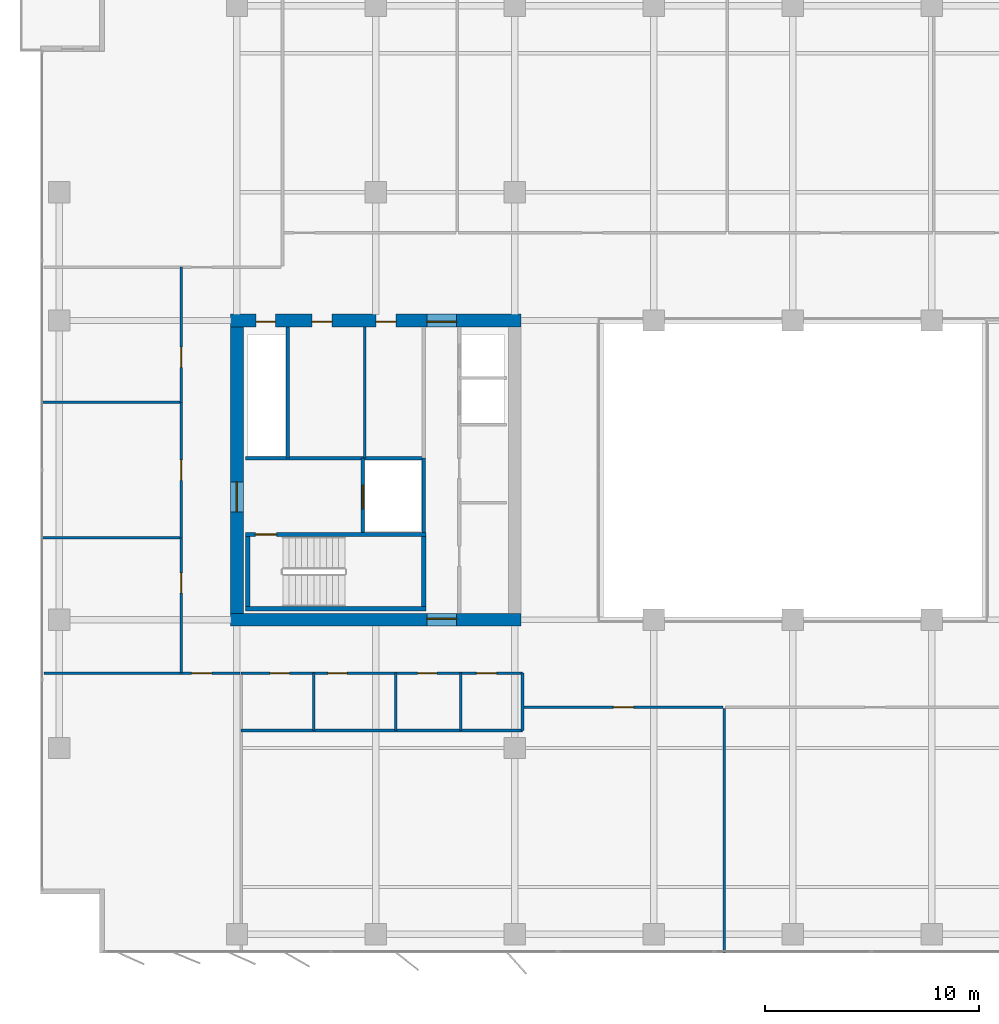
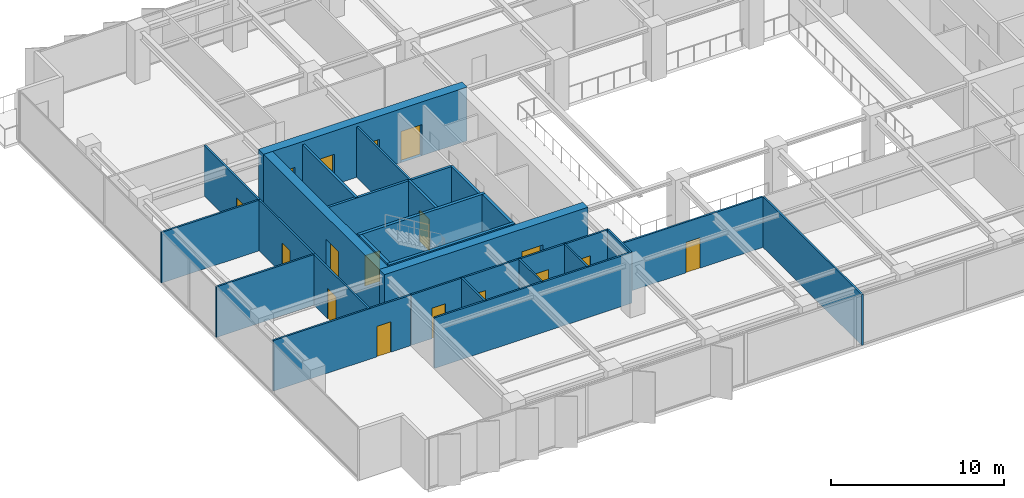
# One storey, part 15 of 22: 26 walls, 17 doors, 17 openings.
"""IFC4 building model written with IfcOpenShell, lengths in metres."""

from ifc_helpers import new_model, si_unit, direction, frame, frame_2d, origin, place, context, subcontext, project, spatial, rectangle, extrude, material, layer, layer_set, type_object, element, fill, save


model = new_model("IFC4")

# Units and contexts
model_context = context("Model", 3, precision=1e-05, world=origin(), true_north=direction((0.0, 1.0)))
body_context = subcontext(model_context, "Body", "Model", "MODEL_VIEW")
ifc_project = project(units=[si_unit("LENGTHUNIT", "METRE"), si_unit("AREAUNIT", "SQUARE_METRE"), si_unit("VOLUMEUNIT", "CUBIC_METRE"), si_unit("PLANEANGLEUNIT", "RADIAN"), si_unit("MASSUNIT", "GRAM", prefix="KILO")], contexts=[model_context])

# Site, building, storey
site_placement = place(None, origin())
site = spatial("IfcSite", under=ifc_project, at=site_placement, CompositionType="ELEMENT")
building_placement = place(site_placement, origin())
building = spatial("IfcBuilding", under=site, at=building_placement, Name="Putna Gate Headquarters", CompositionType="ELEMENT")
storey_placement = place(building_placement, frame((0.0, 0.0, 151.800048828125)))
storey = spatial("IfcBuildingStorey", under=building, at=storey_placement, Name="L37", CompositionType="ELEMENT", Elevation=151.800048828125)

# Wall, opening, door
ifc_material_1 = material(Name="Concrete C50/60", Category="concrete")
ifc_layer_1 = layer(ifc_material_1, 0.60009765625)
ifc_layer_set_1 = layer_set([ifc_layer_1], Name="Concrete C50/60")
wall_type_1 = type_object("IfcWallType", Name="WALL-CORE-600", PredefinedType="SHEAR", material=ifc_layer_set_1)
wall_1_placement = place(storey_placement, frame((12.699951171875, 19.0, 0.0), z_axis=(0.0, 0.0, 1.0), x_axis=(1.0, 0.0, 0.0)))
wall_1 = element("IfcWall", 1, at=wall_1_placement, inside=storey, type_object=wall_type_1, Name="L37 WC Split Core Shear Wall S", PredefinedType="SHEAR", context=body_context, shape_type="SweptSolid", body=[
    extrude(rectangle(XDim=13.60009765625, YDim=0.60009765625, at=frame_2d((6.800048828125, 0.0))), origin(), (0.0, 0.0, 1.0), 3.800048828125),
])
opening_1_placement = place(wall_1_placement, frame((9.179931640625, 0.0, 0.0)))
opening_1 = element("IfcOpeningElement", 2, at=opening_1_placement, cuts=wall_1, Name="Opening FDD-140", PredefinedType="OPENING", context=body_context, shape_type="SweptSolid", body=[
    extrude(rectangle(XDim=1.39990234375, YDim=2.199951171875, at=frame_2d((0.699951171875, 1.10009765625))), frame((0.0, 0.31005859375, 0.0), z_axis=(0.0, -1.0, 0.0), x_axis=(1.0, 0.0, 0.0)), (0.0, 0.0, 1.0), 0.6201171875),
])
ifc_material_2 = material(Name="Double steel fire door", Category="steel")
door_type_1 = type_object("IfcDoorType", Name="DOOR-FIRE-DBL-1400", OperationType="DOUBLE_DOOR_SINGLE_SWING", PredefinedType="DOOR", material=ifc_material_2)
door_1_placement = place(opening_1_placement, origin())
door_1 = element("IfcDoor", 3, at=door_1_placement, inside=storey, type_object=door_type_1, Name="L37 West Lift Lobby South Door", OperationType="DOUBLE_DOOR_SINGLE_SWING", OverallHeight=2.199951171875, OverallWidth=1.39990234375, PredefinedType="DOOR", context=body_context, shape_type="SweptSolid", body=[
    extrude(rectangle(XDim=1.39990234375, YDim=2.199951171875, at=frame_2d((0.699951171875, 1.10009765625))), frame((0.0, 0.0751953125, 0.0), z_axis=(0.0, -1.0, 0.0), x_axis=(1.0, 0.0, 0.0)), (0.0, 0.0, 1.0), 0.050048828125),
])
fill(opening_1, door_1)

# Wall, openings, doors
wall_2_placement = place(storey_placement, frame((12.699951171875, 33.0, 0.0), z_axis=(0.0, 0.0, 1.0), x_axis=(1.0, 0.0, 0.0)))
wall_2 = element("IfcWall", 4, at=wall_2_placement, inside=storey, type_object=wall_type_1, Name="L37 WC Split Core Shear Wall N", PredefinedType="SHEAR", context=body_context, shape_type="SweptSolid", body=[
    extrude(rectangle(XDim=13.60009765625, YDim=0.60009765625, at=frame_2d((6.800048828125, 0.0))), origin(), (0.0, 0.0, 1.0), 3.800048828125),
])
opening_2_placement = place(wall_2_placement, frame((1.199951171875, 0.0, 0.0)))
opening_2 = element("IfcOpeningElement", 5, at=opening_2_placement, cuts=wall_2, Name="Opening RD-90", PredefinedType="OPENING", context=body_context, shape_type="SweptSolid", body=[
    extrude(rectangle(XDim=0.89990234375, YDim=2.14990234375, at=frame_2d((0.449951171875, 1.074951171875))), frame((0.0, 0.31005859375, 0.0), z_axis=(0.0, -1.0, 0.0), x_axis=(1.0, 0.0, 0.0)), (0.0, 0.0, 1.0), 0.6201171875),
])
opening_3_placement = place(wall_2_placement, frame((3.800048828125, 0.0, 0.0)))
opening_3 = element("IfcOpeningElement", 6, at=opening_3_placement, cuts=wall_2, Name="Opening IDS-95", PredefinedType="OPENING", context=body_context, shape_type="SweptSolid", body=[
    extrude(rectangle(XDim=0.949951171875, YDim=2.14990234375, at=frame_2d((0.47509765625, 1.074951171875))), frame((0.0, 0.31005859375, 0.0), z_axis=(0.0, -1.0, 0.0), x_axis=(1.0, 0.0, 0.0)), (0.0, 0.0, 1.0), 0.6201171875),
])
opening_4_placement = place(wall_2_placement, frame((6.800048828125, 0.0, 0.0)))
opening_4 = element("IfcOpeningElement", 7, at=opening_4_placement, cuts=wall_2, Name="Opening IDS-95", PredefinedType="OPENING", context=body_context, shape_type="SweptSolid", body=[
    extrude(rectangle(XDim=0.949951171875, YDim=2.14990234375, at=frame_2d((0.47509765625, 1.074951171875))), frame((0.0, 0.31005859375, 0.0), z_axis=(0.0, -1.0, 0.0), x_axis=(1.0, 0.0, 0.0)), (0.0, 0.0, 1.0), 0.6201171875),
])
opening_5_placement = place(wall_2_placement, frame((9.179931640625, 0.0, 0.0)))
opening_5 = element("IfcOpeningElement", 8, at=opening_5_placement, cuts=wall_2, Name="Opening FDD-140", PredefinedType="OPENING", context=body_context, shape_type="SweptSolid", body=[
    extrude(rectangle(XDim=1.39990234375, YDim=2.199951171875, at=frame_2d((0.699951171875, 1.10009765625))), frame((0.0, 0.31005859375, 0.0), z_axis=(0.0, -1.0, 0.0), x_axis=(1.0, 0.0, 0.0)), (0.0, 0.0, 1.0), 0.6201171875),
])
door_2_placement = place(opening_5_placement, origin())
door_2 = element("IfcDoor", 9, at=door_2_placement, inside=storey, type_object=door_type_1, Name="L37 West Lift Lobby North Door", OperationType="DOUBLE_DOOR_SINGLE_SWING", OverallHeight=2.199951171875, OverallWidth=1.39990234375, PredefinedType="DOOR", context=body_context, shape_type="SweptSolid", body=[
    extrude(rectangle(XDim=1.39990234375, YDim=2.199951171875, at=frame_2d((0.699951171875, 1.10009765625))), frame((0.0, -0.02490234375, 0.0), z_axis=(0.0, -1.0, 0.0), x_axis=(1.0, 0.0, 0.0)), (0.0, 0.0, 1.0), 0.050048828125),
])
fill(opening_5, door_2)
ifc_material_3 = material(Name="Fire-rated service timber door", Category="wood")
door_type_2 = type_object("IfcDoorType", Name="DOOR-INT-950", OperationType="NOTDEFINED", PredefinedType="DOOR", material=ifc_material_3)
door_3_placement = place(opening_3_placement, origin())
door_3 = element("IfcDoor", 10, at=door_3_placement, inside=storey, type_object=door_type_2, Name="L37 Cleaner Store Door", OperationType="SINGLE_SWING_LEFT", OverallHeight=2.14990234375, OverallWidth=0.949951171875, PredefinedType="DOOR", context=body_context, shape_type="SweptSolid", body=[
    extrude(rectangle(XDim=0.949951171875, YDim=2.14990234375, at=frame_2d((0.47509765625, 1.074951171875))), frame((0.0, -0.02490234375, 0.0), z_axis=(0.0, -1.0, 0.0), x_axis=(1.0, 0.0, 0.0)), (0.0, 0.0, 1.0), 0.050048828125),
])
fill(opening_3, door_3)
door_4_placement = place(opening_4_placement, origin())
door_4 = element("IfcDoor", 11, at=door_4_placement, inside=storey, type_object=door_type_2, Name="L37 Comms Plant Door", OperationType="SINGLE_SWING_RIGHT", OverallHeight=2.14990234375, OverallWidth=0.949951171875, PredefinedType="DOOR", context=body_context, shape_type="SweptSolid", body=[
    extrude(rectangle(XDim=0.949951171875, YDim=2.14990234375, at=frame_2d((0.47509765625, 1.074951171875))), frame((0.0, -0.02490234375, 0.0), z_axis=(0.0, -1.0, 0.0), x_axis=(1.0, 0.0, 0.0)), (0.0, 0.0, 1.0), 0.050048828125),
])
fill(opening_4, door_4)
ifc_material_4 = material(Name="Steel riser access fire door", Category="steel")
door_type_3 = type_object("IfcDoorType", Name="DOOR-RISER-900", OperationType="NOTDEFINED", PredefinedType="DOOR", material=ifc_material_4)
door_5_placement = place(opening_2_placement, origin())
door_5 = element("IfcDoor", 12, at=door_5_placement, inside=storey, type_object=door_type_3, Name="L37 West Riser Access Door", OperationType="SINGLE_SWING_RIGHT", OverallHeight=2.14990234375, OverallWidth=0.89990234375, PredefinedType="DOOR", context=body_context, shape_type="SweptSolid", body=[
    extrude(rectangle(XDim=0.89990234375, YDim=2.14990234375, at=frame_2d((0.449951171875, 1.074951171875))), frame((0.0, -0.02490234375, 0.0), z_axis=(0.0, -1.0, 0.0), x_axis=(1.0, 0.0, 0.0)), (0.0, 0.0, 1.0), 0.050048828125),
])
fill(opening_2, door_5)

# Wall, opening, door
wall_3_placement = place(storey_placement, frame((13.0, 19.300048828125, 0.0), z_axis=(0.0, 0.0, 1.0), x_axis=(0.0, 1.0, 0.0)))
wall_3 = element("IfcWall", 13, at=wall_3_placement, inside=storey, type_object=wall_type_1, Name="L37 WC Split Core Shear Wall W", PredefinedType="SHEAR", context=body_context, shape_type="SweptSolid", body=[
    extrude(rectangle(XDim=13.39990234375, YDim=0.60009765625, at=frame_2d((6.699951171875, 0.0))), origin(), (0.0, 0.0, 1.0), 3.800048828125),
])
opening_6_placement = place(wall_3_placement, frame((4.75, 0.0, 0.0)))
opening_6 = element("IfcOpeningElement", 14, at=opening_6_placement, cuts=wall_3, Name="Opening FDD-140", PredefinedType="OPENING", context=body_context, shape_type="SweptSolid", body=[
    extrude(rectangle(XDim=1.39990234375, YDim=2.199951171875, at=frame_2d((0.699951171875, 1.10009765625))), frame((0.0, 0.31005859375, 0.0), z_axis=(0.0, -1.0, 0.0), x_axis=(1.0, 0.0, 0.0)), (0.0, 0.0, 1.0), 0.6201171875),
])
door_6_placement = place(opening_6_placement, origin())
door_6 = element("IfcDoor", 15, at=door_6_placement, inside=storey, type_object=door_type_1, Name="L37 West Firefighting Lobby Door", OperationType="DOUBLE_DOOR_SINGLE_SWING", OverallHeight=2.199951171875, OverallWidth=1.39990234375, PredefinedType="DOOR", context=body_context, shape_type="SweptSolid", body=[
    extrude(rectangle(XDim=1.39990234375, YDim=2.199951171875, at=frame_2d((0.699951171875, 1.10009765625))), frame((0.0, 0.02490234375, 0.0), z_axis=(0.0, -1.0, 0.0), x_axis=(1.0, 0.0, 0.0)), (0.0, 0.0, 1.0), 0.050048828125),
])
fill(opening_6, door_6)

# Walls
ifc_material_5 = material(Name="Acoustic gypsum board on metal stud")
ifc_layer_2 = layer(ifc_material_5, 0.1201171875)
ifc_layer_set_2 = layer_set([ifc_layer_2], Name="Acoustic gypsum board on metal stud")
wall_type_2 = type_object("IfcWallType", Name="WALL-PART-120", PredefinedType="PARTITIONING", material=ifc_layer_set_2)
wall_4_placement = place(storey_placement, frame((35.800048828125, 3.419921875, 0.0), z_axis=(0.0, 0.0, 1.0), x_axis=(0.0, 1.0, 0.0)))
element("IfcWall", 16, at=wall_4_placement, inside=storey, type_object=wall_type_2, Name="L37 Interior Wall PART-L37-SB-DIV-02", PredefinedType="PARTITIONING", context=body_context, shape_type="SweptSolid", body=[
    extrude(rectangle(XDim=11.420166015625, YDim=0.1201171875, at=frame_2d((5.7099609375, 0.0))), origin(), (0.0, 0.0, 1.0), 3.572021484375),
])
for number, where, z_axis, x_axis, name in (
    (17, (3.820068359375, 22.833251953125, 0.0), (0.0, 0.0, 1.0), (1.0, 0.0, 0.0), "L37 Interior Wall PART-L37-WW-DIV-1"),
    (18, (3.820068359375, 29.166748046875, 0.0), (0.0, 0.0, 1.0), (1.0, 0.0, 0.0), "L37 Interior Wall PART-L37-WW-DIV-2"),
):
    element("IfcWall", number, at=place(storey_placement, frame(where, z_axis=z_axis, x_axis=x_axis)), inside=storey, type_object=wall_type_2, Name=name, PredefinedType="PARTITIONING", context=body_context, shape_type="SweptSolid", body=[
        extrude(rectangle(XDim=6.579833984375, YDim=0.1201171875, at=frame_2d((3.2900390625, 0.0))), origin(), (0.0, 0.0, 1.0), 3.572021484375),
    ])
ifc_material_6 = material(Name="Fire-rated gypsum board on metal stud")
ifc_layer_3 = layer(ifc_material_6, 0.1201171875)
ifc_layer_set_3 = layer_set([ifc_layer_3], Name="Fire-rated gypsum board on metal stud")
wall_type_3 = type_object("IfcWallType", Name="WALL-PART-120-RATED", PredefinedType="PARTITIONING", material=ifc_layer_set_3)
wall_5_placement = place(storey_placement, frame((18.969970703125, 26.56005859375, 0.0), z_axis=(0.0, 0.0, 1.0), x_axis=(0.0, 1.0, 0.0)))
element("IfcWall", 19, at=wall_5_placement, inside=storey, type_object=wall_type_3, Name="L37 Interior Wall CWINT-L37-WC-K0-DIV", PredefinedType="PARTITIONING", context=body_context, shape_type="SweptSolid", body=[
    extrude(rectangle(XDim=6.139892578125, YDim=0.1201171875, at=frame_2d((3.06982421875, 0.0))), origin(), (0.0, 0.0, 1.0), 3.572021484375),
])

# Wall, openings, doors
wall_6_placement = place(storey_placement, frame((13.199951171875, 16.5, 0.0), z_axis=(0.0, 0.0, 1.0), x_axis=(1.0, 0.0, 0.0)))
wall_6 = element("IfcWall", 20, at=wall_6_placement, inside=storey, type_object=wall_type_3, Name="L37 Interior Wall PART-L37-SAN-CW", PredefinedType="PARTITIONING", context=body_context, shape_type="SweptSolid", body=[
    extrude(rectangle(XDim=13.16015625, YDim=0.1201171875, at=frame_2d((6.580078125, 0.0))), origin(), (0.0, 0.0, 1.0), 3.572021484375),
])
opening_7_placement = place(wall_6_placement, frame((1.35009765625, 0.0, 0.0)))
opening_7 = element("IfcOpeningElement", 21, at=opening_7_placement, cuts=wall_6, Name="Opening FD-90", PredefinedType="OPENING", context=body_context, shape_type="SweptSolid", body=[
    extrude(rectangle(XDim=0.89990234375, YDim=2.14990234375, at=frame_2d((0.449951171875, 1.074951171875))), frame((0.0, 0.070068359375, 0.0), z_axis=(0.0, -1.0, 0.0), x_axis=(1.0, 0.0, 0.0)), (0.0, 0.0, 1.0), 0.14013671875),
])
opening_8_placement = place(wall_6_placement, frame((4.050048828125, 0.0, 0.0)))
opening_8 = element("IfcOpeningElement", 22, at=opening_8_placement, cuts=wall_6, Name="Opening FD-90", PredefinedType="OPENING", context=body_context, shape_type="SweptSolid", body=[
    extrude(rectangle(XDim=0.89990234375, YDim=2.14990234375, at=frame_2d((0.449951171875, 1.074951171875))), frame((0.0, 0.070068359375, 0.0), z_axis=(0.0, -1.0, 0.0), x_axis=(1.0, 0.0, 0.0)), (0.0, 0.0, 1.0), 0.14013671875),
])
opening_9_placement = place(wall_6_placement, frame((8.25, 0.0, 0.0)))
opening_9 = element("IfcOpeningElement", 23, at=opening_9_placement, cuts=wall_6, Name="Opening FD-90", PredefinedType="OPENING", context=body_context, shape_type="SweptSolid", body=[
    extrude(rectangle(XDim=0.89990234375, YDim=2.14990234375, at=frame_2d((0.449951171875, 1.074951171875))), frame((0.0, 0.070068359375, 0.0), z_axis=(0.0, -1.0, 0.0), x_axis=(1.0, 0.0, 0.0)), (0.0, 0.0, 1.0), 0.14013671875),
])
opening_10_placement = place(wall_6_placement, frame((11.0, 0.0, 0.0)))
opening_10 = element("IfcOpeningElement", 24, at=opening_10_placement, cuts=wall_6, Name="Opening FD-95", PredefinedType="OPENING", context=body_context, shape_type="SweptSolid", body=[
    extrude(rectangle(XDim=0.949951171875, YDim=2.14990234375, at=frame_2d((0.47509765625, 1.074951171875))), frame((0.0, 0.070068359375, 0.0), z_axis=(0.0, -1.0, 0.0), x_axis=(1.0, 0.0, 0.0)), (0.0, 0.0, 1.0), 0.14013671875),
])
ifc_material_7 = material(Name="Acoustic washroom fire door")
door_type_4 = type_object("IfcDoorType", Name="DOOR-FIRE-900", OperationType="NOTDEFINED", PredefinedType="DOOR", material=ifc_material_7)
door_7_placement = place(opening_7_placement, origin())
door_7 = element("IfcDoor", 25, at=door_7_placement, inside=storey, type_object=door_type_4, Name="L37 Washroom Male Door", OperationType="SINGLE_SWING_RIGHT", OverallHeight=2.14990234375, OverallWidth=0.89990234375, PredefinedType="DOOR", context=body_context, shape_type="SweptSolid", body=[
    extrude(rectangle(XDim=0.89990234375, YDim=2.14990234375, at=frame_2d((0.449951171875, 1.074951171875))), frame((0.0, 0.02490234375, 0.0), z_axis=(0.0, -1.0, 0.0), x_axis=(1.0, 0.0, 0.0)), (0.0, 0.0, 1.0), 0.050048828125),
])
fill(opening_7, door_7)
door_8_placement = place(opening_8_placement, origin())
door_8 = element("IfcDoor", 26, at=door_8_placement, inside=storey, type_object=door_type_4, Name="L37 Washroom Female Door", OperationType="SINGLE_SWING_LEFT", OverallHeight=2.14990234375, OverallWidth=0.89990234375, PredefinedType="DOOR", context=body_context, shape_type="SweptSolid", body=[
    extrude(rectangle(XDim=0.89990234375, YDim=2.14990234375, at=frame_2d((0.449951171875, 1.074951171875))), frame((0.0, 0.02490234375, 0.0), z_axis=(0.0, -1.0, 0.0), x_axis=(1.0, 0.0, 0.0)), (0.0, 0.0, 1.0), 0.050048828125),
])
fill(opening_8, door_8)
door_9_placement = place(opening_9_placement, origin())
door_9 = element("IfcDoor", 27, at=door_9_placement, inside=storey, type_object=door_type_4, Name="L37 Accessible WC Door", OperationType="SINGLE_SWING_RIGHT", OverallHeight=2.14990234375, OverallWidth=0.89990234375, PredefinedType="DOOR", context=body_context, shape_type="SweptSolid", body=[
    extrude(rectangle(XDim=0.89990234375, YDim=2.14990234375, at=frame_2d((0.449951171875, 1.074951171875))), frame((0.0, 0.02490234375, 0.0), z_axis=(0.0, -1.0, 0.0), x_axis=(1.0, 0.0, 0.0)), (0.0, 0.0, 1.0), 0.050048828125),
])
fill(opening_9, door_9)
ifc_material_8 = material(Name="Acoustic timber fire door", Category="wood")
door_type_5 = type_object("IfcDoorType", Name="DOOR-FIRE-950", OperationType="NOTDEFINED", PredefinedType="DOOR", material=ifc_material_8)
door_10_placement = place(opening_10_placement, origin())
door_10 = element("IfcDoor", 28, at=door_10_placement, inside=storey, type_object=door_type_5, Name="L37 Staff Pantry and Tea Point Door", OperationType="SINGLE_SWING_LEFT", OverallHeight=2.14990234375, OverallWidth=0.949951171875, PredefinedType="DOOR", context=body_context, shape_type="SweptSolid", body=[
    extrude(rectangle(XDim=0.949951171875, YDim=2.14990234375, at=frame_2d((0.47509765625, 1.074951171875))), frame((0.0, 0.02490234375, 0.0), z_axis=(0.0, -1.0, 0.0), x_axis=(1.0, 0.0, 0.0)), (0.0, 0.0, 1.0), 0.050048828125),
])
fill(opening_10, door_10)

# Walls
wall_7_placement = place(storey_placement, frame((13.199951171875, 13.820068359375, 0.0), z_axis=(0.0, 0.0, 1.0), x_axis=(1.0, 0.0, 0.0)))
element("IfcWall", 29, at=wall_7_placement, inside=storey, type_object=wall_type_3, Name="L37 Interior Wall PART-L37-SAN-BACK", PredefinedType="PARTITIONING", context=body_context, shape_type="SweptSolid", body=[
    extrude(rectangle(XDim=13.16015625, YDim=0.1201171875, at=frame_2d((6.580078125, 0.0))), origin(), (0.0, 0.0, 1.0), 3.572021484375),
])
for number, where, z_axis, x_axis, name in (
    (30, (16.60009765625, 13.820068359375, 0.0), (0.0, 0.0, 1.0), (0.0, 1.0, 0.0), "L37 Interior Wall PART-L37-SAN-DIV-1"),
    (31, (20.419921875, 13.820068359375, 0.0), (0.0, 0.0, 1.0), (0.0, 1.0, 0.0), "L37 Interior Wall PART-L37-SAN-DIV-2"),
    (32, (23.4599609375, 13.820068359375, 0.0), (0.0, 0.0, 1.0), (0.0, 1.0, 0.0), "L37 Interior Wall PART-L37-SAN-DIV-3"),
    (33, (26.360107421875, 13.820068359375, 0.0), (0.0, 0.0, 1.0), (0.0, 1.0, 0.0), "L37 Interior Wall PART-L37-SAN-DIV-4"),
):
    element("IfcWall", number, at=place(storey_placement, frame(where, z_axis=z_axis, x_axis=x_axis)), inside=storey, type_object=wall_type_3, Name=name, PredefinedType="PARTITIONING", context=body_context, shape_type="SweptSolid", body=[
        extrude(rectangle(XDim=2.679931640625, YDim=0.1201171875, at=frame_2d((1.33984375, 0.0))), origin(), (0.0, 0.0, 1.0), 3.572021484375),
    ])

# Wall, opening, door
wall_8_placement = place(storey_placement, frame((3.97998046875, 16.5, 0.0), z_axis=(0.0, 0.0, 1.0), x_axis=(1.0, 0.0, 0.0)))
wall_8 = element("IfcWall", 34, at=wall_8_placement, inside=storey, type_object=wall_type_3, Name="L37 Interior Wall PART-L37-SB-CW-01", PredefinedType="PARTITIONING", context=body_context, shape_type="SweptSolid", body=[
    extrude(rectangle(XDim=9.159912109375, YDim=0.1201171875, at=frame_2d((4.580078125, 0.0))), origin(), (0.0, 0.0, 1.0), 3.572021484375),
])
opening_11_placement = place(wall_8_placement, frame((6.89990234375, 0.0, 0.0)))
opening_11 = element("IfcOpeningElement", 35, at=opening_11_placement, cuts=wall_8, Name="Opening FD-95", PredefinedType="OPENING", context=body_context, shape_type="SweptSolid", body=[
    extrude(rectangle(XDim=0.949951171875, YDim=2.14990234375, at=frame_2d((0.47509765625, 1.074951171875))), frame((0.0, 0.070068359375, 0.0), z_axis=(0.0, -1.0, 0.0), x_axis=(1.0, 0.0, 0.0)), (0.0, 0.0, 1.0), 0.14013671875),
])
door_11_placement = place(opening_11_placement, origin())
door_11 = element("IfcDoor", 36, at=door_11_placement, inside=storey, type_object=door_type_5, Name="L37 Cellular Office 3 Door", OperationType="SINGLE_SWING_LEFT", OverallHeight=2.14990234375, OverallWidth=0.949951171875, PredefinedType="DOOR", context=body_context, shape_type="SweptSolid", body=[
    extrude(rectangle(XDim=0.949951171875, YDim=2.14990234375, at=frame_2d((0.47509765625, 1.074951171875))), frame((0.0, 0.02490234375, 0.0), z_axis=(0.0, -1.0, 0.0), x_axis=(1.0, 0.0, 0.0)), (0.0, 0.0, 1.0), 0.050048828125),
])
fill(opening_11, door_11)

wall_9_placement = place(storey_placement, frame((26.419921875, 14.89990234375, 0.0), z_axis=(0.0, 0.0, 1.0), x_axis=(1.0, 0.0, 0.0)))
wall_9 = element("IfcWall", 37, at=wall_9_placement, inside=storey, type_object=wall_type_3, Name="L37 Interior Wall PART-L37-SB-CW-02", PredefinedType="PARTITIONING", context=body_context, shape_type="SweptSolid", body=[
    extrude(rectangle(XDim=9.320068359375, YDim=0.1201171875, at=frame_2d((4.66015625, 0.0))), origin(), (0.0, 0.0, 1.0), 3.572021484375),
])
opening_12_placement = place(wall_9_placement, frame((4.18505859375, 0.0, 0.0)))
opening_12 = element("IfcOpeningElement", 38, at=opening_12_placement, cuts=wall_9, Name="Opening FD-95", PredefinedType="OPENING", context=body_context, shape_type="SweptSolid", body=[
    extrude(rectangle(XDim=0.949951171875, YDim=2.14990234375, at=frame_2d((0.47509765625, 1.074951171875))), frame((0.0, 0.070068359375, 0.0), z_axis=(0.0, -1.0, 0.0), x_axis=(1.0, 0.0, 0.0)), (0.0, 0.0, 1.0), 0.14013671875),
])
door_12_placement = place(opening_12_placement, origin())
door_12 = element("IfcDoor", 39, at=door_12_placement, inside=storey, type_object=door_type_5, Name="L37 Primary Open Office Workplace Door", OperationType="SINGLE_SWING_RIGHT", OverallHeight=2.14990234375, OverallWidth=0.949951171875, PredefinedType="DOOR", context=body_context, shape_type="SweptSolid", body=[
    extrude(rectangle(XDim=0.949951171875, YDim=2.14990234375, at=frame_2d((0.47509765625, 1.074951171875))), frame((0.0, 0.02490234375, 0.0), z_axis=(0.0, -1.0, 0.0), x_axis=(1.0, 0.0, 0.0)), (0.0, 0.0, 1.0), 0.050048828125),
])
fill(opening_12, door_12)

wall_10_placement = place(storey_placement, frame((10.39990234375, 16.5, 0.0), z_axis=(0.0, 0.0, 1.0), x_axis=(0.0, 1.0, 0.0)))
wall_10 = element("IfcWall", 40, at=wall_10_placement, inside=storey, type_object=wall_type_3, Name="L37 Interior Wall PART-L37-WW-CW-1", PredefinedType="PARTITIONING", context=body_context, shape_type="SweptSolid", body=[
    extrude(rectangle(XDim=6.333251953125, YDim=0.1201171875, at=frame_2d((3.16650390625, 0.0))), origin(), (0.0, 0.0, 1.0), 3.572021484375),
])
opening_13_placement = place(wall_10_placement, frame((3.74169921875, 0.0, 0.0)))
opening_13 = element("IfcOpeningElement", 41, at=opening_13_placement, cuts=wall_10, Name="Opening FD-95", PredefinedType="OPENING", context=body_context, shape_type="SweptSolid", body=[
    extrude(rectangle(XDim=0.949951171875, YDim=2.14990234375, at=frame_2d((0.47509765625, 1.074951171875))), frame((0.0, 0.070068359375, 0.0), z_axis=(0.0, -1.0, 0.0), x_axis=(1.0, 0.0, 0.0)), (0.0, 0.0, 1.0), 0.14013671875),
])
door_13_placement = place(opening_13_placement, origin())
door_13 = element("IfcDoor", 42, at=door_13_placement, inside=storey, type_object=door_type_5, Name="L37 West Executive Office 1 Door", OperationType="SINGLE_SWING_RIGHT", OverallHeight=2.14990234375, OverallWidth=0.949951171875, PredefinedType="DOOR", context=body_context, shape_type="SweptSolid", body=[
    extrude(rectangle(XDim=0.949951171875, YDim=2.14990234375, at=frame_2d((0.47509765625, 1.074951171875))), frame((0.0, 0.02490234375, 0.0), z_axis=(0.0, -1.0, 0.0), x_axis=(1.0, 0.0, 0.0)), (0.0, 0.0, 1.0), 0.050048828125),
])
fill(opening_13, door_13)

wall_11_placement = place(storey_placement, frame((10.39990234375, 22.833251953125, 0.0), z_axis=(0.0, 0.0, 1.0), x_axis=(0.0, 1.0, 0.0)))
wall_11 = element("IfcWall", 43, at=wall_11_placement, inside=storey, type_object=wall_type_3, Name="L37 Interior Wall PART-L37-WW-CW-2", PredefinedType="PARTITIONING", context=body_context, shape_type="SweptSolid", body=[
    extrude(rectangle(XDim=6.33349609375, YDim=0.1201171875, at=frame_2d((3.166748046875, 0.0))), origin(), (0.0, 0.0, 1.0), 3.572021484375),
])
opening_14_placement = place(wall_11_placement, frame((2.691650390625, 0.0, 0.0)))
opening_14 = element("IfcOpeningElement", 44, at=opening_14_placement, cuts=wall_11, Name="Opening FD-95", PredefinedType="OPENING", context=body_context, shape_type="SweptSolid", body=[
    extrude(rectangle(XDim=0.949951171875, YDim=2.14990234375, at=frame_2d((0.47509765625, 1.074951171875))), frame((0.0, 0.070068359375, 0.0), z_axis=(0.0, -1.0, 0.0), x_axis=(1.0, 0.0, 0.0)), (0.0, 0.0, 1.0), 0.14013671875),
])
door_14_placement = place(opening_14_placement, origin())
door_14 = element("IfcDoor", 45, at=door_14_placement, inside=storey, type_object=door_type_5, Name="L37 West Executive Office 2 Door", OperationType="SINGLE_SWING_LEFT", OverallHeight=2.14990234375, OverallWidth=0.949951171875, PredefinedType="DOOR", context=body_context, shape_type="SweptSolid", body=[
    extrude(rectangle(XDim=0.949951171875, YDim=2.14990234375, at=frame_2d((0.47509765625, 1.074951171875))), frame((0.0, 0.02490234375, 0.0), z_axis=(0.0, -1.0, 0.0), x_axis=(1.0, 0.0, 0.0)), (0.0, 0.0, 1.0), 0.050048828125),
])
fill(opening_14, door_14)

wall_12_placement = place(storey_placement, frame((10.39990234375, 29.166748046875, 0.0), z_axis=(0.0, 0.0, 1.0), x_axis=(0.0, 1.0, 0.0)))
wall_12 = element("IfcWall", 46, at=wall_12_placement, inside=storey, type_object=wall_type_3, Name="L37 Interior Wall PART-L37-WW-CW-3", PredefinedType="PARTITIONING", context=body_context, shape_type="SweptSolid", body=[
    extrude(rectangle(XDim=6.333251953125, YDim=0.1201171875, at=frame_2d((3.16650390625, 0.0))), origin(), (0.0, 0.0, 1.0), 3.572021484375),
])
opening_15_placement = place(wall_12_placement, frame((1.6416015625, 0.0, 0.0)))
opening_15 = element("IfcOpeningElement", 47, at=opening_15_placement, cuts=wall_12, Name="Opening FD-95", PredefinedType="OPENING", context=body_context, shape_type="SweptSolid", body=[
    extrude(rectangle(XDim=0.949951171875, YDim=2.14990234375, at=frame_2d((0.47509765625, 1.074951171875))), frame((0.0, 0.070068359375, 0.0), z_axis=(0.0, -1.0, 0.0), x_axis=(1.0, 0.0, 0.0)), (0.0, 0.0, 1.0), 0.14013671875),
])
door_15_placement = place(opening_15_placement, origin())
door_15 = element("IfcDoor", 48, at=door_15_placement, inside=storey, type_object=door_type_5, Name="L37 West Project Meeting Room 3 Door", OperationType="SINGLE_SWING_RIGHT", OverallHeight=2.14990234375, OverallWidth=0.949951171875, PredefinedType="DOOR", context=body_context, shape_type="SweptSolid", body=[
    extrude(rectangle(XDim=0.949951171875, YDim=2.14990234375, at=frame_2d((0.47509765625, 1.074951171875))), frame((0.0, 0.02490234375, 0.0), z_axis=(0.0, -1.0, 0.0), x_axis=(1.0, 0.0, 0.0)), (0.0, 0.0, 1.0), 0.050048828125),
])
fill(opening_15, door_15)

# Wall
ifc_material_9 = material(Name="Concrete C40/50", Category="concrete")
ifc_layer_4 = layer(ifc_material_9, 0.159912109375)
ifc_layer_set_4 = layer_set([ifc_layer_4], Name="Concrete C40/50")
wall_type_4 = type_object("IfcWallType", Name="WALL-SHAFT-160", PredefinedType="STANDARD", material=ifc_layer_set_4)
wall_13_placement = place(storey_placement, frame((21.739990234375, 23.090087890625, 0.0), z_axis=(0.0, 0.0, 1.0), x_axis=(0.0, 1.0, 0.0)))
element("IfcWall", 49, at=wall_13_placement, inside=storey, type_object=wall_type_4, Name="L37 Interior Wall CWINT-L37-WC-FFL-E", PredefinedType="STANDARD", context=body_context, shape_type="SweptSolid", body=[
    extrude(rectangle(XDim=3.469970703125, YDim=0.159912109375, at=frame_2d((1.73486328125, 0.0))), origin(), (0.0, 0.0, 1.0), 3.572021484375),
])

# Wall, opening, door
wall_14_placement = place(storey_placement, frame((18.8798828125, 23.090087890625, 0.0), z_axis=(0.0, 0.0, 1.0), x_axis=(0.0, 1.0, 0.0)))
wall_14 = element("IfcWall", 50, at=wall_14_placement, inside=storey, type_object=wall_type_4, Name="L37 Interior Wall CWINT-L37-WC-LF13-W", PredefinedType="STANDARD", context=body_context, shape_type="SweptSolid", body=[
    extrude(rectangle(XDim=3.469970703125, YDim=0.159912109375, at=frame_2d((1.73486328125, 0.0))), origin(), (0.0, 0.0, 1.0), 3.572021484375),
])
opening_16_placement = place(wall_14_placement, frame((1.10009765625, 0.0, 0.0)))
opening_16 = element("IfcOpeningElement", 51, at=opening_16_placement, cuts=wall_14, Name="Opening LD-1", PredefinedType="OPENING", context=body_context, shape_type="SweptSolid", body=[
    extrude(rectangle(XDim=1.10009765625, YDim=2.199951171875, at=frame_2d((0.550048828125, 1.10009765625))), frame((0.0, 0.08984375, 0.0), z_axis=(0.0, -1.0, 0.0), x_axis=(1.0, 0.0, 0.0)), (0.0, 0.0, 1.0), 0.179931640625),
])
ifc_material_10 = material(Name="Brushed bronze stainless lift landing door")
door_type_6 = type_object("IfcDoorType", Name="DOOR-LIFT-1100", OperationType="DOUBLE_DOOR_SLIDING", PredefinedType="DOOR", material=ifc_material_10)
door_16_placement = place(opening_16_placement, origin())
door_16 = element("IfcDoor", 52, at=door_16_placement, inside=storey, type_object=door_type_6, Name="L37 Lift Landing Door LD-13", OperationType="DOUBLE_DOOR_SLIDING", OverallHeight=2.199951171875, OverallWidth=1.10009765625, PredefinedType="DOOR", context=body_context, shape_type="SweptSolid", body=[
    extrude(rectangle(XDim=1.10009765625, YDim=2.199951171875, at=frame_2d((0.550048828125, 1.10009765625))), frame((0.0, 0.02490234375, 0.0), z_axis=(0.0, -1.0, 0.0), x_axis=(1.0, 0.0, 0.0)), (0.0, 0.0, 1.0), 0.050048828125),
])
fill(opening_16, door_16)

# Walls
wall_15_placement = place(storey_placement, frame((13.39990234375, 26.56005859375, 0.0), z_axis=(0.0, 0.0, 1.0), x_axis=(1.0, 0.0, 0.0)))
element("IfcWall", 53, at=wall_15_placement, inside=storey, type_object=wall_type_4, Name="L37 Interior Wall CWINT-L37-WC-FFL-N", PredefinedType="STANDARD", context=body_context, shape_type="SweptSolid", body=[
    extrude(rectangle(XDim=8.340087890625, YDim=0.159912109375, at=frame_2d((4.169921875, 0.0))), origin(), (0.0, 0.0, 1.0), 3.572021484375),
])
wall_16_placement = place(storey_placement, frame((15.3798828125, 26.56005859375, 0.0), z_axis=(0.0, 0.0, 1.0), x_axis=(0.0, 1.0, 0.0)))
element("IfcWall", 54, at=wall_16_placement, inside=storey, type_object=wall_type_4, Name="L37 Interior Wall CWINT-L37-WC-RISER-E", PredefinedType="STANDARD", context=body_context, shape_type="SweptSolid", body=[
    extrude(rectangle(XDim=6.139892578125, YDim=0.159912109375, at=frame_2d((3.06982421875, 0.0))), origin(), (0.0, 0.0, 1.0), 3.572021484375),
])
ifc_layer_5 = layer(ifc_material_9, 0.199951171875)
ifc_layer_set_5 = layer_set([ifc_layer_5], Name="Concrete C40/50")
wall_type_5 = type_object("IfcWallType", Name="WALL-SHAFT-RC200", PredefinedType="SHEAR", material=ifc_layer_set_5)
wall_17_placement = place(storey_placement, frame((13.409912109375, 19.510009765625, 0.0), z_axis=(0.0, 0.0, 1.0), x_axis=(1.0, 0.0, 0.0)))
element("IfcWall", 55, at=wall_17_placement, inside=storey, type_object=wall_type_5, Name="L37 Stair ST1 Structural Shaft Wall S", PredefinedType="SHEAR", context=body_context, shape_type="SweptSolid", body=[
    extrude(rectangle(XDim=8.43017578125, YDim=0.199951171875, at=frame_2d((4.215087890625, 0.0))), origin(), (0.0, 0.0, 1.0), 3.800048828125),
])

# Wall, opening, door
wall_18_placement = place(storey_placement, frame((13.409912109375, 22.989990234375, 0.0), z_axis=(0.0, 0.0, 1.0), x_axis=(1.0, 0.0, 0.0)))
wall_18 = element("IfcWall", 56, at=wall_18_placement, inside=storey, type_object=wall_type_5, Name="L37 Stair ST1 Structural Shaft Wall N", PredefinedType="SHEAR", context=body_context, shape_type="SweptSolid", body=[
    extrude(rectangle(XDim=8.43017578125, YDim=0.199951171875, at=frame_2d((4.215087890625, 0.0))), origin(), (0.0, 0.0, 1.0), 3.800048828125),
])
opening_17_placement = place(wall_18_placement, frame((0.449951171875, 0.0, 0.0)))
opening_17 = element("IfcOpeningElement", 57, at=opening_17_placement, cuts=wall_18, Name="Opening FD-100", PredefinedType="OPENING", context=body_context, shape_type="SweptSolid", body=[
    extrude(rectangle(XDim=1.0, YDim=2.14990234375, at=frame_2d((0.5, 1.074951171875))), frame((0.0, 0.10986328125, 0.0), z_axis=(0.0, -1.0, 0.0), x_axis=(1.0, 0.0, 0.0)), (0.0, 0.0, 1.0), 0.219970703125),
])
ifc_material_11 = material(Name="Powder-coated steel fire door", Category="steel")
door_type_7 = type_object("IfcDoorType", Name="DOOR-FIRE-1000", OperationType="NOTDEFINED", PredefinedType="DOOR", material=ifc_material_11)
door_17_placement = place(opening_17_placement, origin())
door_17 = element("IfcDoor", 58, at=door_17_placement, inside=storey, type_object=door_type_7, Name="L37 Stair ST1 Fire Door", OperationType="SINGLE_SWING_LEFT", OverallHeight=2.14990234375, OverallWidth=1.0, PredefinedType="DOOR", context=body_context, shape_type="SweptSolid", body=[
    extrude(rectangle(XDim=1.0, YDim=2.14990234375, at=frame_2d((0.5, 1.074951171875))), frame((0.0, 0.02490234375, 0.0), z_axis=(0.0, -1.0, 0.0), x_axis=(1.0, 0.0, 0.0)), (0.0, 0.0, 1.0), 0.050048828125),
])
fill(opening_17, door_17)

# Walls
for number, where, z_axis, x_axis, name in (
    (59, (13.510009765625, 19.610107421875, 0.0), (0.0, 0.0, 1.0), (0.0, 1.0, 0.0), "L37 Stair ST1 Structural Shaft Wall W"),
    (60, (21.739990234375, 19.610107421875, 0.0), (0.0, 0.0, 1.0), (0.0, 1.0, 0.0), "L37 Stair ST1 Structural Shaft Wall E"),
):
    element("IfcWall", number, at=place(storey_placement, frame(where, z_axis=z_axis, x_axis=x_axis)), inside=storey, type_object=wall_type_5, Name=name, PredefinedType="SHEAR", context=body_context, shape_type="SweptSolid", body=[
        extrude(rectangle(XDim=3.27978515625, YDim=0.199951171875, at=frame_2d((1.639892578125, 0.0))), origin(), (0.0, 0.0, 1.0), 3.800048828125),
    ])

save(model, "model.ifc")
